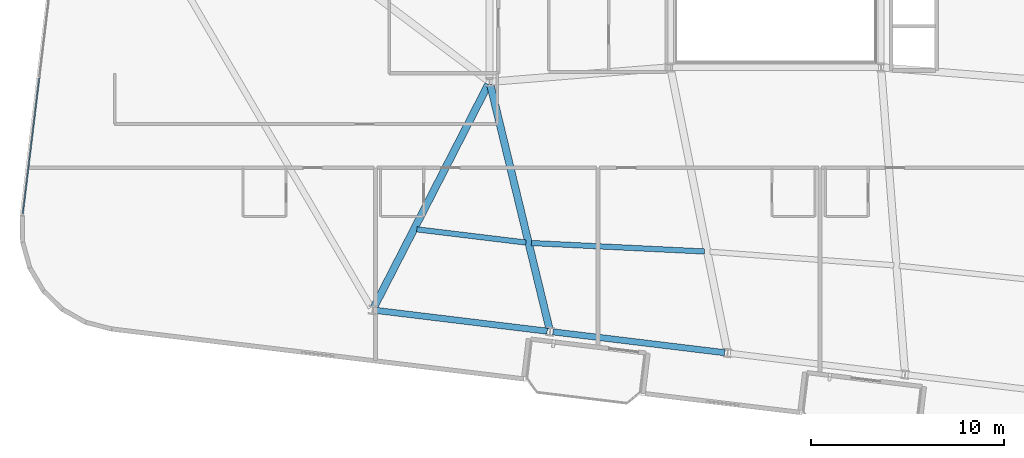
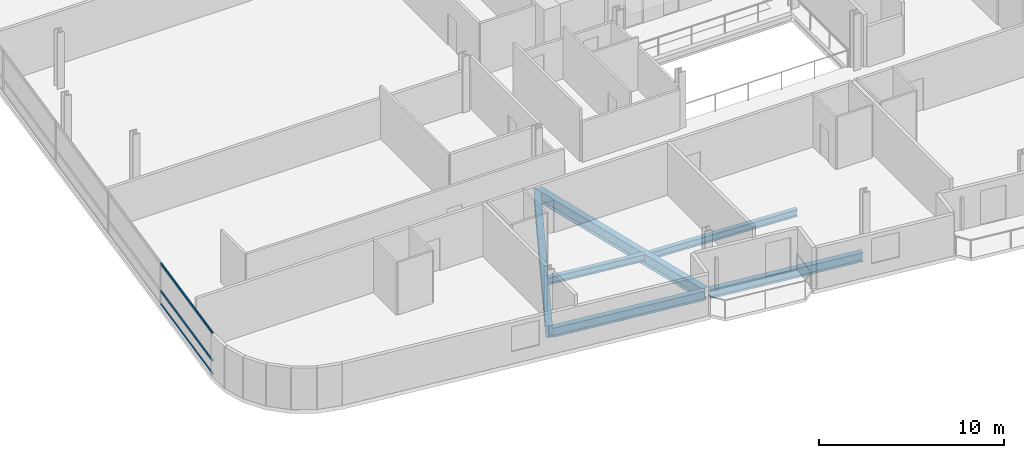
# One storey, part 3 of 25: 6 beams, 3 members, 1 element without a shape of its own.
"""IFC4 building model written with IfcOpenShell, lengths in metres."""

from ifc_helpers import new_model, si_unit, direction, frame, origin, origin_2d, place, context, subcontext, project, spatial, hollow_rectangle, i_section, extrude, material, layer, layer_set, material_profile, profile_set, type_object, element, aggregate, save


model = new_model("IFC4")

# Units and contexts
model_context = context("Model", 3, precision=1e-05, world=origin(), true_north=direction((0.0, 1.0)))
body_context = subcontext(model_context, "Body", "Model", "MODEL_VIEW")
ifc_project = project(units=[si_unit("LENGTHUNIT", "METRE"), si_unit("AREAUNIT", "SQUARE_METRE"), si_unit("VOLUMEUNIT", "CUBIC_METRE"), si_unit("PLANEANGLEUNIT", "RADIAN"), si_unit("MASSUNIT", "GRAM", prefix="KILO")], contexts=[model_context])

# Site, building, storey
site_placement = place(None, origin())
site = spatial("IfcSite", under=ifc_project, at=site_placement, CompositionType="ELEMENT")
building_placement = place(site_placement, origin())
building = spatial("IfcBuilding", under=site, at=building_placement, Name="Varnelok Gate Tower", CompositionType="ELEMENT")
storey_placement = place(building_placement, frame((0.0, 0.0, 132.800048828125)))
storey = spatial("IfcBuildingStorey", under=building, at=storey_placement, Name="L33", CompositionType="ELEMENT", Elevation=132.800048828125)

# Beams
ifc_material_1 = material(Name="Structural Steel ASTM A992 Grade 50", Category="steel")
ifc_material_profile_1 = material_profile(ifc_material_1, i_section(OverallWidth=0.280029296875, OverallDepth=0.462890625, WebThickness=0.0107421875, FlangeThickness=0.017333984375, FilletRadius=0.014892578125, at=origin_2d()), Name="W18X76")
ifc_profile_set_1 = profile_set([ifc_material_profile_1], Name="Structural Steel ASTM A992 Grade 50")
beam_type_1 = type_object("IfcBeamType", Name="BM-JST-W18X76", PredefinedType="JOIST", material=ifc_profile_set_1)
beam_1_placement = place(storey_placement, frame((20.634033203125, 11.169921875, -0.4814453125), z_axis=(0.992731450462, -0.120350601429, 0.0), x_axis=(0.120350601429, 0.992731450462, 0.0)))
element("IfcBeam", 1, at=beam_1_placement, inside=storey, type_object=beam_type_1, Name="L33 Sector Floor Joist 1", PredefinedType="JOIST", context=body_context, shape_type="SweptSolid", body=[
    extrude(i_section(OverallWidth=0.280029296875, OverallDepth=0.462890625, WebThickness=0.0107421875, FlangeThickness=0.017333984375, FilletRadius=0.014892578125, at=origin_2d()), origin(), (0.0, 0.0, 1.0), 5.68603515625),
])
beam_2_placement = place(storey_placement, frame((26.5576171875, 10.4619140625, -0.4814453125), z_axis=(0.998808084552, -0.0488099399, 0.0), x_axis=(0.0488099399, 0.998808084552, 0.0)))
element("IfcBeam", 2, at=beam_2_placement, inside=storey, type_object=beam_type_1, Name="L33 Sector Floor Joist 2", PredefinedType="JOIST", context=body_context, shape_type="SweptSolid", body=[
    extrude(i_section(OverallWidth=0.280029296875, OverallDepth=0.462890625, WebThickness=0.0107421875, FlangeThickness=0.017333984375, FilletRadius=0.014892578125, at=origin_2d()), origin(), (0.0, 0.0, 1.0), 8.973388671875),
])
ifc_material_profile_2 = material_profile(ifc_material_1, i_section(OverallWidth=0.381103515625, OverallDepth=0.77294921875, WebThickness=0.0166015625, FlangeThickness=0.027099609375, FilletRadius=0.02197265625, at=origin_2d()), Name="W30X173")
ifc_profile_set_2 = profile_set([ifc_material_profile_2], Name="Structural Steel ASTM A992 Grade 50")
beam_type_2 = type_object("IfcBeamType", Name="BM-PRI-W30X173", PredefinedType="BEAM", material=ifc_profile_set_2)
beam_3_placement = place(storey_placement, frame((24.33154296875, 18.66650390625, -0.636474609375), z_axis=(-0.456386604987, -0.889781583754, 0.0), x_axis=(0.889781583754, -0.456386604987, 0.0)))
element("IfcBeam", 3, at=beam_3_placement, inside=storey, type_object=beam_type_2, Name="L33 Radial Floor Girder 1", PredefinedType="BEAM", context=body_context, shape_type="SweptSolid", body=[
    extrude(i_section(OverallWidth=0.381103515625, OverallDepth=0.77294921875, WebThickness=0.0166015625, FlangeThickness=0.027099609375, FilletRadius=0.02197265625, at=origin_2d()), origin(), (0.0, 0.0, 1.0), 12.96533203125),
])
beam_4_placement = place(storey_placement, frame((24.435302734375, 18.654296875, -0.636474609375), z_axis=(0.235400453941, -0.971898465008, 0.0), x_axis=(0.971898465008, 0.235400453941, 0.0)))
element("IfcBeam", 4, at=beam_4_placement, inside=storey, type_object=beam_type_2, Name="L33 Radial Floor Girder 2", PredefinedType="BEAM", context=body_context, shape_type="SweptSolid", body=[
    extrude(i_section(OverallWidth=0.381103515625, OverallDepth=0.77294921875, WebThickness=0.0166015625, FlangeThickness=0.027099609375, FilletRadius=0.02197265625, at=origin_2d()), origin(), (0.0, 0.0, 1.0), 12.989990234375),
])
ifc_material_profile_3 = material_profile(ifc_material_1, i_section(OverallWidth=0.323974609375, OverallDepth=0.611083984375, WebThickness=0.0126953125, FlangeThickness=0.01904296875, FilletRadius=0.01806640625, at=origin_2d()), Name="W24X104")
ifc_profile_set_3 = profile_set([ifc_material_profile_3], Name="Structural Steel ASTM A992 Grade 50")
beam_type_3 = type_object("IfcBeamType", Name="BM-SPN-W24X104", PredefinedType="SPANDREL", material=ifc_profile_set_3)
for number, where, z_axis, x_axis, name in (
    (5, (18.49462890625, 6.978515625, -0.5556640625), (0.992734670707, -0.120324035735, 0.0), (0.120324035735, 0.992734670707, 0.0), "L33 Perimeter Spandrel Beam 1"),
    (6, (27.677490234375, 5.865478515625, -0.5556640625), (0.99273141198, -0.120350918849, 0.0), (0.120350918849, 0.99273141198, 0.0), "L33 Perimeter Spandrel Beam 2"),
):
    element("IfcBeam", number, at=place(storey_placement, frame(where, z_axis=z_axis, x_axis=x_axis)), inside=storey, type_object=beam_type_3, Name=name, PredefinedType="SPANDREL", context=body_context, shape_type="SweptSolid", body=[
        extrude(i_section(OverallWidth=0.323974609375, OverallDepth=0.611083984375, WebThickness=0.0126953125, FlangeThickness=0.01904296875, FilletRadius=0.01806640625, at=origin_2d()), origin(), (0.0, 0.0, 1.0), 8.949951171875),
    ])

# Curtain wall, members
ifc_material_2 = material(Name="Anodized Aluminum Alloy 6063-T6", Category="aluminium")
ifc_layer = layer(ifc_material_2, 0.179931640625)
ifc_layer_set = layer_set([ifc_layer], Name="Anodized Aluminum Alloy 6063-T6")
curtain_wall_type = type_object("IfcCurtainWallType", Name="CW3-HOTEL-VISION", PredefinedType="USERDEFINED", material=ifc_layer_set)
curtain_wall_placement = place(storey_placement, origin())
curtain_wall = element("IfcCurtainWall", 7, at=curtain_wall_placement, inside=storey, type_object=curtain_wall_type, Name="L33 West End Vision Curtain Wall", ObjectType="UNITISED CURTAIN WALL", PredefinedType="USERDEFINED")
ifc_material_profile_4 = material_profile(ifc_material_2, hollow_rectangle(XDim=0.06494140625, YDim=0.159912109375, WallThickness=0.00390625, at=origin_2d()), Name="ALU160X65X4")
ifc_profile_set_4 = profile_set([ifc_material_profile_4], Name="Anodized Aluminum Alloy 6063-T6")
member_type = type_object("IfcMemberType", Name="CW-TRAN-160", PredefinedType="USERDEFINED", material=ifc_profile_set_4)
member_1_placement = place(storey_placement, frame((0.2509765625, 11.955322265625, 0.032470703125), z_axis=(0.120344712857, 0.992732164326, 0.0), x_axis=(-0.992732164326, 0.120344712857, 0.0)))
member_1 = element("IfcMember", 8, at=member_1_placement, type_object=member_type, Name="CW3 transom 1.1", ObjectType="TRANSOM", PredefinedType="USERDEFINED", context=body_context, shape_type="SweptSolid", body=[
    extrude(hollow_rectangle(XDim=0.06494140625, YDim=0.159912109375, WallThickness=0.00390625, at=origin_2d()), origin(), (0.0, 0.0, 1.0), 7.102294921875),
])
member_2_placement = place(storey_placement, frame((0.2509765625, 11.955322265625, 0.89990234375), z_axis=(0.120344712857, 0.992732164326, 0.0), x_axis=(-0.992732164326, 0.120344712857, 0.0)))
member_2 = element("IfcMember", 9, at=member_2_placement, type_object=member_type, Name="CW3 transom 1.2", ObjectType="TRANSOM", PredefinedType="USERDEFINED", context=body_context, shape_type="SweptSolid", body=[
    extrude(hollow_rectangle(XDim=0.06494140625, YDim=0.159912109375, WallThickness=0.00390625, at=origin_2d()), origin(), (0.0, 0.0, 1.0), 7.102294921875),
])
member_3_placement = place(storey_placement, frame((0.2509765625, 11.955322265625, 2.697509765625), z_axis=(0.120344712857, 0.992732164326, 0.0), x_axis=(-0.992732164326, 0.120344712857, 0.0)))
member_3 = element("IfcMember", 10, at=member_3_placement, type_object=member_type, Name="CW3 transom 1.3", ObjectType="TRANSOM", PredefinedType="USERDEFINED", context=body_context, shape_type="SweptSolid", body=[
    extrude(hollow_rectangle(XDim=0.06494140625, YDim=0.159912109375, WallThickness=0.00390625, at=origin_2d()), origin(), (0.0, 0.0, 1.0), 7.102294921875),
])
aggregate(curtain_wall, [member_1, member_2, member_3])

save(model, "model.ifc")
